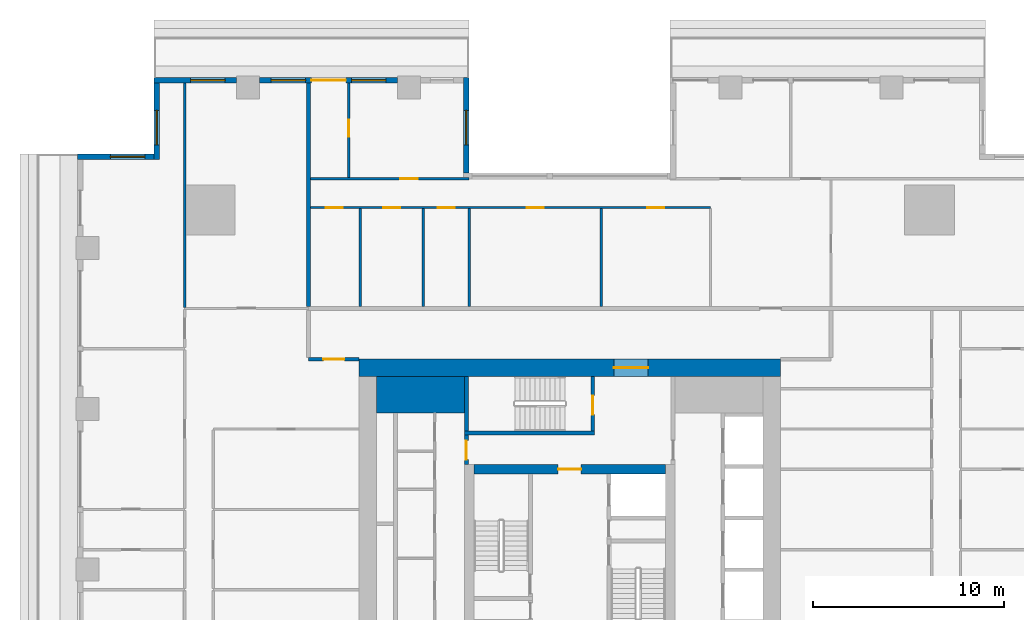
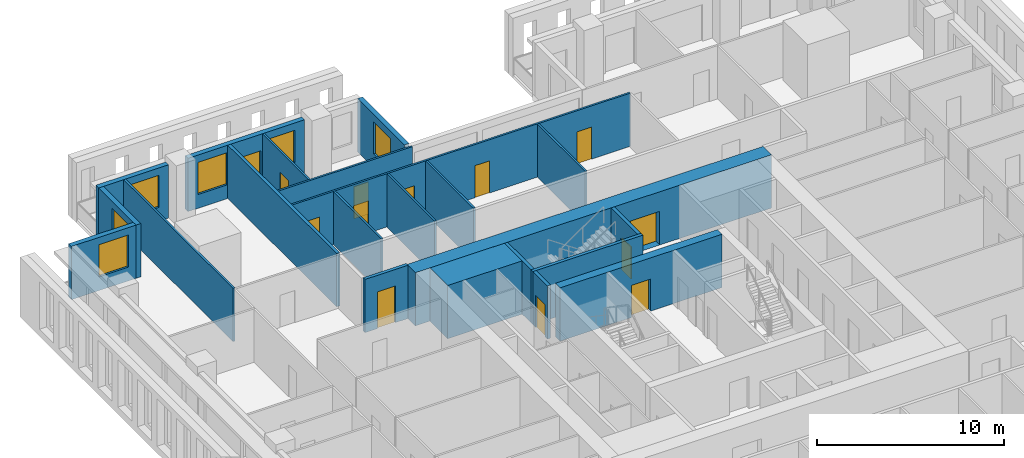
# One storey, part 7 of 15: 22 walls, 13 doors, 6 windows, 19 openings.
"""IFC4 building model written with IfcOpenShell, lengths in metres."""

import ifcopenshell
import ifcopenshell.guid

model = None  # the IFC model being written
_history = None  # IfcOwnerHistory: only IFC2X3 demands one
_inside = {}  # id of a spatial element -> (the spatial element, [elements in it])
_under = {}  # id of a project, library or spatial element -> (it, [spatial elements below it])
_declared = {}  # id of a project -> (the project, [libraries it declares])
_typed = {}  # id of a type object -> (the type object, [elements of that type])
_made_of = {}  # id of a material, layer set ... -> (it, [elements and type objects made of it])


def new_model(schema):
    """Start an empty IFC model of exactly this schema.

    Asked for "IFC4X3", IfcOpenShell would pick the latest addendum, in which some entities
    have other attributes; the version numbers below select the first issue.
    IFC2X3 requires an IfcOwnerHistory on every rooted entity: one is made here for all.
    """
    global model, _history
    if schema == "IFC4X3":
        model = ifcopenshell.file(schema_version=(4, 3, 0, 0))
    else:
        model = ifcopenshell.file(schema=schema)
    _inside.clear()
    _under.clear()
    _declared.clear()
    _typed.clear()
    _made_of.clear()
    _history = None
    if model.schema == "IFC2X3":
        org = make("IfcOrganization", Name="unknown")
        user = make(
            "IfcPersonAndOrganization",
            ThePerson=make("IfcPerson", FamilyName="unknown"),
            TheOrganization=org,
        )
        app = make(
            "IfcApplication",
            ApplicationDeveloper=org,
            Version="unknown",
            ApplicationFullName="unknown",
            ApplicationIdentifier="unknown",
        )
        _history = make(
            "IfcOwnerHistory",
            OwningUser=user,
            OwningApplication=app,
            ChangeAction="ADDED",
            CreationDate=0,
        )
    return model


def make(cls, **values):
    """One entity of the class cls with the attributes given. An attribute that is None is left unset."""
    return model.create_entity(
        cls, **{name: value for name, value in values.items() if value is not None}
    )


def rooted(cls, **values):
    """An entity with a GlobalId (a new one), such as an element, a storey or a relation."""
    return make(cls, GlobalId=ifcopenshell.guid.new(), OwnerHistory=_history, **values)


def si_unit(unit_type, name, prefix=None):
    """IfcSIUnit, for example si_unit("LENGTHUNIT", "METRE", prefix="MILLI")."""
    return make("IfcSIUnit", UnitType=unit_type, Prefix=prefix, Name=name)


def assignment(units):
    """IfcUnitAssignment: the units of a project."""
    return None if units is None else make("IfcUnitAssignment", Units=units)


def point(xyz):
    """IfcCartesianPoint."""
    return None if xyz is None else make("IfcCartesianPoint", Coordinates=xyz)


def direction(xyz):
    """IfcDirection."""
    return None if xyz is None else make("IfcDirection", DirectionRatios=xyz)


def frame(location, z_axis=None, x_axis=None):
    """IfcAxis2Placement3D, a coordinate frame: its origin and axes. An axis left out is left unset."""
    return make(
        "IfcAxis2Placement3D",
        Location=point(location),
        Axis=direction(z_axis),
        RefDirection=direction(x_axis),
    )


def frame_2d(location, x_axis=None):
    """IfcAxis2Placement2D, a coordinate frame in the plane: its origin and x axis."""
    return make(
        "IfcAxis2Placement2D", Location=point(location), RefDirection=direction(x_axis)
    )


def origin():
    """The frame at (0, 0, 0) with its axes left unset."""
    return frame((0.0, 0.0, 0.0))


def place(relative_to, where):
    """IfcLocalPlacement: puts the frame where relative to a parent placement (None: the world)."""
    return make(
        "IfcLocalPlacement", PlacementRelTo=relative_to, RelativePlacement=where
    )


def context(
    kind, dimensions, precision=None, world=None, true_north=None, identifier=None
):
    """IfcGeometricRepresentationContext, for example the 3D "Model" context."""
    return make(
        "IfcGeometricRepresentationContext",
        ContextIdentifier=identifier,
        ContextType=kind,
        CoordinateSpaceDimension=dimensions,
        Precision=precision,
        WorldCoordinateSystem=world,
        TrueNorth=true_north,
    )


def subcontext(parent, identifier, kind, view, scale=None):
    """IfcGeometricRepresentationSubContext, for example "Body" below "Model"."""
    return make(
        "IfcGeometricRepresentationSubContext",
        ContextIdentifier=identifier,
        ContextType=kind,
        ParentContext=parent,
        TargetScale=scale,
        TargetView=view,
    )


def project(units=None, contexts=None):
    """IfcProject with its units and contexts."""
    return rooted(
        "IfcProject",
        Name="project",
        RepresentationContexts=contexts,
        UnitsInContext=assignment(units),
    )


def spatial(cls, under=None, at=None, **own):
    """A site, building, storey or space (cls), placed at a placement, below another one or the project."""
    s = rooted(cls, ObjectPlacement=at, **own)
    if under is not None:
        _under.setdefault(under.id(), (under, []))[1].append(s)
    return s


def profile(cls, at=None, kind="AREA", **sizes):
    """A parametric profile (cls). Its sizes go by their IFC names, for example OverallWidth=200.0."""
    return make(cls, ProfileType=kind, Position=at, **sizes)


def rectangle(**sizes):
    """IfcRectangleProfileDef."""
    return profile("IfcRectangleProfileDef", **sizes)


def extrude(swept, where, along, depth):
    """IfcExtrudedAreaSolid: the profile swept, set in the frame where, extruded along a direction by depth."""
    return make(
        "IfcExtrudedAreaSolid",
        SweptArea=swept,
        Position=where,
        ExtrudedDirection=direction(along),
        Depth=depth,
    )


def shape(context_of_items, identifier, shape_type, items):
    """IfcShapeRepresentation: the items that make up one representation, for example the "Body"."""
    return make(
        "IfcShapeRepresentation",
        ContextOfItems=context_of_items,
        RepresentationIdentifier=identifier,
        RepresentationType=shape_type,
        Items=items,
    )


def material(Name=None, Category=None):
    """IfcMaterial."""
    return make("IfcMaterial", Name=Name, Category=Category)


def layer(
    of_material, thickness, ventilated=None, Name=None, Category=None, Priority=None
):
    """IfcMaterialLayer: one layer of a wall or slab, of a material (None: an air gap)."""
    return make(
        "IfcMaterialLayer",
        Material=of_material,
        LayerThickness=thickness,
        IsVentilated=ventilated,
        Name=Name,
        Category=Category,
        Priority=Priority,
    )


def layer_set(layers, Name=None):
    """IfcMaterialLayerSet."""
    return make("IfcMaterialLayerSet", MaterialLayers=layers, LayerSetName=Name)


def made_of(thing, what):
    """Note that an element or type object is made of a material, layer set ...; save() writes the relation."""
    if what is not None:
        _made_of.setdefault(what.id(), (what, []))[1].append(thing)
    return thing


def type_object(cls, material=None, **own):
    """A type object (cls), such as IfcWallType, which elements share."""
    return made_of(rooted(cls, **own), material)


def element(
    cls,
    number,
    at=None,
    inside=None,
    cuts=None,
    type_object=None,
    material=None,
    context=None,
    identifier="Body",
    shape_type=None,
    held_by="IfcProductDefinitionShape",
    body=None,
    shapes=None,
    **own,
):
    """One element of the class cls, such as IfcWall. Its Tag is "e" and its number.

    at: its placement. inside: the storey or other place that contains it. cuts: it is an
    opening in that element (IfcRelVoidsElement). A single representation is given by context,
    identifier, shape_type and body (its items); several are given by shapes. held_by: the class
    of the entity that holds the representations. save() writes the other relations.
    """
    e = rooted(cls, Tag="e%d" % number, ObjectPlacement=at, **own)
    if body is not None:
        shapes = [shape(context, identifier, shape_type, body)]
    if shapes is not None:
        e.Representation = make(held_by, Representations=shapes)
    if inside is not None:
        _inside.setdefault(inside.id(), (inside, []))[1].append(e)
    if cuts is not None:
        rooted(
            "IfcRelVoidsElement", RelatingBuildingElement=cuts, RelatedOpeningElement=e
        )
    if type_object is not None:
        _typed.setdefault(type_object.id(), (type_object, []))[1].append(e)
    return made_of(e, material)


def fill(opening, filler):
    """IfcRelFillsElement: the door or window that sits in an opening."""
    return rooted(
        "IfcRelFillsElement",
        RelatingOpeningElement=opening,
        RelatedBuildingElement=filler,
    )


def aggregate(whole, parts):
    """IfcRelAggregates: a whole, such as a stair, and the parts it consists of."""
    return rooted("IfcRelAggregates", RelatingObject=whole, RelatedObjects=parts)


def save(model, path):
    """Write the relations noted so far, then the file.

    IfcRelAggregates (storeys below a building ...), IfcRelContainedInSpatialStructure (elements
    in a storey), IfcRelDefinesByType, IfcRelAssociatesMaterial and IfcRelDeclares: one each for
    every whole, place, type object, material and project.
    """
    for whole, parts in _under.values():
        aggregate(whole, parts)
    for where, things in _inside.values():
        rooted(
            "IfcRelContainedInSpatialStructure",
            RelatedElements=things,
            RelatingStructure=where,
        )
    for kind, things in _typed.values():
        rooted("IfcRelDefinesByType", RelatedObjects=things, RelatingType=kind)
    for what, things in _made_of.values():
        rooted("IfcRelAssociatesMaterial", RelatedObjects=things, RelatingMaterial=what)
    for by, libraries in _declared.values():
        rooted("IfcRelDeclares", RelatingContext=by, RelatedDefinitions=libraries)
    model.write(path)


model = new_model("IFC4")

# Units and contexts
model_context = context("Model", 3, precision=1e-05, world=origin(), true_north=direction((0.0, 1.0)))
body_context = subcontext(model_context, "Body", "Model", "MODEL_VIEW")
ifc_project = project(units=[si_unit("LENGTHUNIT", "METRE"), si_unit("AREAUNIT", "SQUARE_METRE"), si_unit("VOLUMEUNIT", "CUBIC_METRE"), si_unit("PLANEANGLEUNIT", "RADIAN"), si_unit("MASSUNIT", "GRAM", prefix="KILO")], contexts=[model_context])

# Site, building, storey
site_placement = place(None, origin())
site = spatial("IfcSite", under=ifc_project, at=site_placement, CompositionType="ELEMENT")
building_placement = place(site_placement, origin())
building = spatial("IfcBuilding", under=site, at=building_placement, Name="Khepri Terraces", CompositionType="ELEMENT")
storey_placement = place(building_placement, frame((0.0, 0.0, 145.5)))
storey = spatial("IfcBuildingStorey", under=building, at=storey_placement, Name="L34", CompositionType="ELEMENT", Elevation=145.5)

# Walls
ifc_material_1 = material(Name="Concrete C60/75", Category="concrete")
ifc_layer_1 = layer(ifc_material_1, 1.89990234375, Name="Concrete C60/75", Category="concrete")
ifc_layer_set_1 = layer_set([ifc_layer_1], Name="Concrete C60/75")
wall_type_1 = type_object("IfcWallType", Name="Core wall 1900 C60/75", PredefinedType="SHEAR", material=ifc_layer_set_1)
wall_1_placement = place(storey_placement, frame((-10.10009765625, 9.14990234375, 0.0), z_axis=(0.0, 0.0, 1.0), x_axis=(1.0, 0.0, 0.0)))
element("IfcWall", 1, at=wall_1_placement, inside=storey, type_object=wall_type_1, Name="Core wall PR03 L34", PredefinedType="SHEAR", context=body_context, shape_type="SweptSolid", body=[
    extrude(rectangle(XDim=4.60009765625, YDim=1.89990234375, at=frame_2d((2.300048828125, 0.0))), origin(), (0.0, 0.0, 1.0), 3.47998046875),
])
ifc_layer_2 = layer(ifc_material_1, 0.199951171875, Name="Concrete C60/75", Category="concrete")
ifc_layer_set_2 = layer_set([ifc_layer_2], Name="Concrete C60/75")
wall_type_2 = type_object("IfcWallType", Name="Core wall 200 C60/75", PredefinedType="SHEAR", material=ifc_layer_set_2)
wall_2_placement = place(storey_placement, frame((-5.5, 7.14990234375, 0.0), z_axis=(0.0, 0.0, 1.0), x_axis=(1.0, 0.0, 0.0)))
element("IfcWall", 2, at=wall_2_placement, inside=storey, type_object=wall_type_2, Name="Core wall ST05 L34", PredefinedType="SHEAR", context=body_context, shape_type="SweptSolid", body=[
    extrude(rectangle(XDim=6.800048828125, YDim=0.199951171875, at=frame_2d((3.39990234375, 0.0))), origin(), (0.0, 0.0, 1.0), 3.47998046875),
])
wall_3_placement = place(storey_placement, frame((-5.39990234375, 7.25, 0.0), z_axis=(0.0, 0.0, 1.0), x_axis=(0.0, 1.0, 0.0)))
element("IfcWall", 3, at=wall_3_placement, inside=storey, type_object=wall_type_2, Name="Core wall ST06 L34", PredefinedType="SHEAR", context=body_context, shape_type="SweptSolid", body=[
    extrude(rectangle(XDim=2.85009765625, YDim=0.199951171875, at=frame_2d((1.425048828125, 0.0))), origin(), (0.0, 0.0, 1.0), 3.47998046875),
])

# Wall, opening, door
wall_4_placement = place(storey_placement, frame((1.199951171875, 7.25, 0.0), z_axis=(0.0, 0.0, 1.0), x_axis=(0.0, 1.0, 0.0)))
wall_4 = element("IfcWall", 4, at=wall_4_placement, inside=storey, type_object=wall_type_2, Name="Core wall ST07 L34", PredefinedType="SHEAR", context=body_context, shape_type="SweptSolid", body=[
    extrude(rectangle(XDim=2.85009765625, YDim=0.199951171875, at=frame_2d((1.425048828125, 0.0))), origin(), (0.0, 0.0, 1.0), 3.47998046875),
])
opening_1_placement = place(wall_4_placement, frame((0.85009765625, 0.0, 0.0)))
opening_1 = element("IfcOpeningElement", 5, at=opening_1_placement, cuts=wall_4, Name="Opening L34-C15", PredefinedType="OPENING", context=body_context, shape_type="SweptSolid", body=[
    extrude(rectangle(XDim=1.0, YDim=2.10009765625, at=frame_2d((0.5, 1.050048828125))), frame((0.0, 0.10986328125, 0.0), z_axis=(0.0, -1.0, 0.0), x_axis=(1.0, 0.0, 0.0)), (0.0, 0.0, 1.0), 0.219970703125),
])
ifc_material_2 = material(Name="Painted steel", Category="steel")
door_type_1 = type_object("IfcDoorType", Name="DR-CORE-STAIR-1000", OperationType="NOTDEFINED", PredefinedType="DOOR", material=ifc_material_2)
door_1_placement = place(opening_1_placement, origin())
door_1 = element("IfcDoor", 6, at=door_1_placement, inside=storey, type_object=door_type_1, Name="Stair door L34-C15", OperationType="SINGLE_SWING_LEFT", OverallHeight=2.10009765625, OverallWidth=1.0, PredefinedType="DOOR", context=body_context, shape_type="SweptSolid", body=[
    extrude(rectangle(XDim=1.0, YDim=2.10009765625, at=frame_2d((0.5, 1.050048828125))), frame((0.0, 0.02490234375, 0.0), z_axis=(0.0, -1.0, 0.0), x_axis=(1.0, 0.0, 0.0)), (0.0, 0.0, 1.0), 0.050048828125),
])
fill(opening_1, door_1)

ifc_layer_3 = layer(ifc_material_1, 0.5, Name="Concrete C60/75", Category="concrete")
ifc_layer_set_3 = layer_set([ifc_layer_3], Name="Concrete C60/75")
wall_type_3 = type_object("IfcWallType", Name="Core wall 500 C60/75", PredefinedType="SHEAR", material=ifc_layer_set_3)
wall_5_placement = place(storey_placement, frame((-5.0, 5.25, 0.0), z_axis=(0.0, 0.0, 1.0), x_axis=(1.0, 0.0, 0.0)))
wall_5 = element("IfcWall", 7, at=wall_5_placement, inside=storey, type_object=wall_type_3, Name="Core wall BX04 L34", PredefinedType="SHEAR", context=body_context, shape_type="SweptSolid", body=[
    extrude(rectangle(XDim=10.0, YDim=0.5, at=frame_2d((5.0, 0.0))), origin(), (0.0, 0.0, 1.0), 3.47998046875),
])
opening_2_placement = place(wall_5_placement, frame((4.39990234375, 0.0, 0.0)))
opening_2 = element("IfcOpeningElement", 8, at=opening_2_placement, cuts=wall_5, Name="Opening L34-C13", PredefinedType="OPENING", context=body_context, shape_type="SweptSolid", body=[
    extrude(rectangle(XDim=1.199951171875, YDim=2.10009765625, at=frame_2d((0.60009765625, 1.050048828125))), frame((0.0, 0.260009765625, 0.0), z_axis=(0.0, -1.0, 0.0), x_axis=(1.0, 0.0, 0.0)), (0.0, 0.0, 1.0), 0.52001953125),
])
door_type_2 = type_object("IfcDoorType", Name="DR-CORE-FF-LOBBY-1200", OperationType="NOTDEFINED", PredefinedType="DOOR", material=ifc_material_2)
door_2_placement = place(opening_2_placement, frame((1.199951171875, 0.0, 0.0), z_axis=(0.0, 0.0, 1.0), x_axis=(-1.0, 0.0, 0.0)))
door_2 = element("IfcDoor", 9, at=door_2_placement, inside=storey, type_object=door_type_2, Name="Firefighting lobby door L34-C13", OperationType="SINGLE_SWING_LEFT", OverallHeight=2.10009765625, OverallWidth=1.199951171875, PredefinedType="DOOR", context=body_context, shape_type="SweptSolid", body=[
    extrude(rectangle(XDim=1.199951171875, YDim=2.10009765625, at=frame_2d((0.60009765625, 1.050048828125))), frame((0.0, 0.02490234375, 0.0), z_axis=(0.0, -1.0, 0.0), x_axis=(1.0, 0.0, 0.0)), (0.0, 0.0, 1.0), 0.050048828125),
])
fill(opening_2, door_2)

ifc_layer_4 = layer(ifc_material_1, 0.89990234375, Name="Concrete C60/75", Category="concrete")
ifc_layer_set_4 = layer_set([ifc_layer_4], Name="Concrete C60/75")
wall_type_4 = type_object("IfcWallType", Name="Core wall 900 C60/75", PredefinedType="SHEAR", material=ifc_layer_set_4)
wall_6_placement = place(storey_placement, frame((-11.0, 10.550048828125, 0.0), z_axis=(0.0, 0.0, 1.0), x_axis=(1.0, 0.0, 0.0)))
wall_6 = element("IfcWall", 10, at=wall_6_placement, inside=storey, type_object=wall_type_4, Name="Core wall OW-N L34", PredefinedType="SHEAR", context=body_context, shape_type="SweptSolid", body=[
    extrude(rectangle(XDim=22.0, YDim=0.89990234375, at=frame_2d((11.0, 0.0))), origin(), (0.0, 0.0, 1.0), 3.47998046875),
])
opening_3_placement = place(wall_6_placement, frame((13.300048828125, 0.0, 0.0)))
opening_3 = element("IfcOpeningElement", 11, at=opening_3_placement, cuts=wall_6, Name="Opening L34-C20", PredefinedType="OPENING", context=body_context, shape_type="SweptSolid", body=[
    extrude(rectangle(XDim=1.800048828125, YDim=2.199951171875, at=frame_2d((0.89990234375, 1.10009765625))), frame((0.0, 0.4599609375, 0.0), z_axis=(0.0, -1.0, 0.0), x_axis=(1.0, 0.0, 0.0)), (0.0, 0.0, 1.0), 0.919921875),
])
door_type_3 = type_object("IfcDoorType", Name="DR-CORE-ENTRANCE-1800", OperationType="NOTDEFINED", PredefinedType="DOOR", material=ifc_material_2)
door_3_placement = place(opening_3_placement, origin())
door_3 = element("IfcDoor", 12, at=door_3_placement, inside=storey, type_object=door_type_3, Name="Core entrance door pair L34-C20", OperationType="DOUBLE_DOOR_SINGLE_SWING", OverallHeight=2.199951171875, OverallWidth=1.800048828125, PredefinedType="DOOR", context=body_context, shape_type="SweptSolid", body=[
    extrude(rectangle(XDim=1.800048828125, YDim=2.199951171875, at=frame_2d((0.89990234375, 1.10009765625))), frame((0.0, 0.02490234375, 0.0), z_axis=(0.0, -1.0, 0.0), x_axis=(1.0, 0.0, 0.0)), (0.0, 0.0, 1.0), 0.050048828125),
])
fill(opening_3, door_3)

ifc_material_3 = material(Name="Fire-rated gypsum board partition")
ifc_layer_5 = layer(ifc_material_3, 0.199951171875, Name="Fire-rated gypsum board partition")
ifc_layer_set_5 = layer_set([ifc_layer_5], Name="Fire-rated gypsum board partition")
wall_type_5 = type_object("IfcWallType", Name="WL-CORE-PART-200", PredefinedType="PARTITIONING", material=ifc_layer_set_5)
wall_7_placement = place(storey_placement, frame((-5.39990234375, 5.5, 0.0), z_axis=(0.0, 0.0, 1.0), x_axis=(0.0, 1.0, 0.0)))
wall_7 = element("IfcWall", 13, at=wall_7_placement, inside=storey, type_object=wall_type_5, Name="Core partition PT12 L34", PredefinedType="PARTITIONING", context=body_context, shape_type="SweptSolid", body=[
    extrude(rectangle(XDim=1.550048828125, YDim=0.199951171875, at=frame_2d((0.77490234375, 0.0))), origin(), (0.0, 0.0, 1.0), 3.47998046875),
])
opening_4_placement = place(wall_7_placement, frame((0.25, 0.0, 0.0)))
opening_4 = element("IfcOpeningElement", 14, at=opening_4_placement, cuts=wall_7, Name="Opening L34-C16", PredefinedType="OPENING", context=body_context, shape_type="SweptSolid", body=[
    extrude(rectangle(XDim=1.0, YDim=2.10009765625, at=frame_2d((0.5, 1.050048828125))), frame((0.0, 0.10986328125, 0.0), z_axis=(0.0, -1.0, 0.0), x_axis=(1.0, 0.0, 0.0)), (0.0, 0.0, 1.0), 0.219970703125),
])
door_type_4 = type_object("IfcDoorType", Name="DR-CORE-LOBBY-1000", OperationType="NOTDEFINED", PredefinedType="DOOR", material=ifc_material_2)
door_4_placement = place(opening_4_placement, frame((1.0, 0.0, 0.0), z_axis=(0.0, 0.0, 1.0), x_axis=(-1.0, 0.0, 0.0)))
door_4 = element("IfcDoor", 15, at=door_4_placement, inside=storey, type_object=door_type_4, Name="Lobby door L34-C16", OperationType="SINGLE_SWING_RIGHT", OverallHeight=2.10009765625, OverallWidth=1.0, PredefinedType="DOOR", context=body_context, shape_type="SweptSolid", body=[
    extrude(rectangle(XDim=1.0, YDim=2.10009765625, at=frame_2d((0.5, 1.050048828125))), frame((0.0, 0.02490234375, 0.0), z_axis=(0.0, -1.0, 0.0), x_axis=(1.0, 0.0, 0.0)), (0.0, 0.0, 1.0), 0.050048828125),
])
fill(opening_4, door_4)

ifc_material_4 = material(Name="Fire-rated gypsum plasterboard partition, mineral wool")
ifc_layer_6 = layer(ifc_material_4, 0.199951171875, Name="Fire-rated gypsum plasterboard partition, mineral wool")
ifc_layer_set_6 = layer_set([ifc_layer_6], Name="Fire-rated gypsum plasterboard partition, mineral wool")
wall_type_6 = type_object("IfcWallType", Name="WL-CORR-200", PredefinedType="PARTITIONING", material=ifc_layer_set_6)
wall_8_placement = place(storey_placement, frame((-13.64990234375, 11.0, 0.0), z_axis=(0.0, 0.0, 1.0), x_axis=(1.0, 0.0, 0.0)))
wall_8 = element("IfcWall", 16, at=wall_8_placement, inside=storey, type_object=wall_type_6, Name="Partition P-074 L34", PredefinedType="PARTITIONING", context=body_context, shape_type="SweptSolid", body=[
    extrude(rectangle(XDim=2.64990234375, YDim=0.199951171875, at=frame_2d((1.324951171875, 0.0))), origin(), (0.0, 0.0, 1.0), 3.47998046875),
])
opening_5_placement = place(wall_8_placement, frame((0.77490234375, 0.0, 0.0)))
opening_5 = element("IfcOpeningElement", 17, at=opening_5_placement, cuts=wall_8, Name="Opening D1", PredefinedType="OPENING", context=body_context, shape_type="SweptSolid", body=[
    extrude(rectangle(XDim=1.10009765625, YDim=2.39990234375, at=frame_2d((0.550048828125, 1.199951171875))), frame((0.0, 0.10986328125, 0.0), z_axis=(0.0, -1.0, 0.0), x_axis=(1.0, 0.0, 0.0)), (0.0, 0.0, 1.0), 0.219970703125),
])
ifc_material_5 = material(Name="Solid-core timber door leaf, flat entrance door", Category="wood")
door_type_5 = type_object("IfcDoorType", Name="DR-ENT-1100", OperationType="NOTDEFINED", PredefinedType="DOOR", material=ifc_material_5)
door_5_placement = place(opening_5_placement, frame((1.10009765625, 0.0, 0.0), z_axis=(0.0, 0.0, 1.0), x_axis=(-1.0, 0.0, 0.0)))
door_5 = element("IfcDoor", 18, at=door_5_placement, inside=storey, type_object=door_type_5, Name="Flat D1 entrance door", OperationType="SINGLE_SWING_LEFT", OverallHeight=2.39990234375, OverallWidth=1.10009765625, PredefinedType="DOOR", context=body_context, shape_type="SweptSolid", body=[
    extrude(rectangle(XDim=1.10009765625, YDim=2.39990234375, at=frame_2d((0.550048828125, 1.199951171875))), frame((0.0, 0.02490234375, 0.0), z_axis=(0.0, -1.0, 0.0), x_axis=(1.0, 0.0, 0.0)), (0.0, 0.0, 1.0), 0.050048828125),
])
fill(opening_5, door_5)

# Wall
wall_9_placement = place(storey_placement, frame((-13.64990234375, 13.75, 0.0), z_axis=(0.0, 0.0, 1.0), x_axis=(0.0, 1.0, 0.0)))
element("IfcWall", 19, at=wall_9_placement, inside=storey, type_object=wall_type_6, Name="Partition P-085 L34", PredefinedType="PARTITIONING", context=body_context, shape_type="SweptSolid", body=[
    extrude(rectangle(XDim=11.669921875, YDim=0.199951171875, at=frame_2d((5.8349609375, 0.0))), origin(), (0.0, 0.0, 1.0), 3.47998046875),
])

# Wall, opening, window
ifc_material_6 = material(Name="Precast concrete C50/60 warm stone", Category="masonry")
ifc_layer_7 = layer(ifc_material_6, 0.300048828125, Name="Precast concrete C50/60 warm stone", Category="masonry")
ifc_layer_set_7 = layer_set([ifc_layer_7], Name="Precast concrete C50/60 warm stone")
wall_type_7 = type_object("IfcWallType", Name="WL-EXT-PRECAST-300", PredefinedType="STANDARD", material=ifc_layer_set_7)
wall_10_placement = place(storey_placement, frame((-5.39990234375, 20.719970703125, 0.0), z_axis=(0.0, 0.0, 1.0), x_axis=(0.0, 1.0, 0.0)))
wall_10 = element("IfcWall", 20, at=wall_10_placement, inside=storey, type_object=wall_type_7, Name="External wall L34 E", PredefinedType="STANDARD", context=body_context, shape_type="SweptSolid", body=[
    extrude(rectangle(XDim=5.0, YDim=0.300048828125, at=frame_2d((2.5, 0.0))), origin(), (0.0, 0.0, 1.0), 3.47998046875),
])
opening_6_placement = place(wall_10_placement, frame((1.47998046875, 0.0, 0.89990234375)))
opening_6 = element("IfcOpeningElement", 21, at=opening_6_placement, cuts=wall_10, Name="Opening W1", PredefinedType="OPENING", context=body_context, shape_type="SweptSolid", body=[
    extrude(rectangle(XDim=1.800048828125, YDim=2.10009765625, at=frame_2d((0.89990234375, 1.050048828125))), frame((0.0, 0.16015625, 0.0), z_axis=(0.0, -1.0, 0.0), x_axis=(1.0, 0.0, 0.0)), (0.0, 0.0, 1.0), 0.320068359375),
])
ifc_material_7 = material(Name="Clear glass", Category="glass")
window_type = type_object("IfcWindowType", Name="WIN-RES-1800x2100", PartitioningType="SINGLE_PANEL", PredefinedType="WINDOW", material=ifc_material_7)
window_1_placement = place(opening_6_placement, origin())
window_1 = element("IfcWindow", 22, at=window_1_placement, inside=storey, type_object=window_type, Name="Window L34 E", OverallHeight=2.10009765625, OverallWidth=1.800048828125, PartitioningType="SINGLE_PANEL", PredefinedType="WINDOW", context=body_context, shape_type="SweptSolid", body=[
    extrude(rectangle(XDim=1.800048828125, YDim=2.10009765625, at=frame_2d((0.89990234375, 1.050048828125))), frame((0.0, 0.030029296875, 0.0), z_axis=(0.0, -1.0, 0.0), x_axis=(1.0, 0.0, 0.0)), (0.0, 0.0, 1.0), 0.06005859375),
])
fill(opening_6, window_1)

# Wall, openings, door, windows
wall_11_placement = place(storey_placement, frame((-9.0, 25.570068359375, 0.0), z_axis=(0.0, 0.0, 1.0), x_axis=(-1.0, 0.0, 0.0)))
wall_11 = element("IfcWall", 23, at=wall_11_placement, inside=storey, type_object=wall_type_7, Name="External wall L34 N", PredefinedType="STANDARD", context=body_context, shape_type="SweptSolid", body=[
    extrude(rectangle(XDim=7.199951171875, YDim=0.300048828125, at=frame_2d((3.60009765625, 0.0))), origin(), (0.0, 0.0, 1.0), 3.47998046875),
])
opening_7_placement = place(wall_11_placement, frame((0.60009765625, 0.0, 0.89990234375)))
opening_7 = element("IfcOpeningElement", 24, at=opening_7_placement, cuts=wall_11, Name="Opening W1", PredefinedType="OPENING", context=body_context, shape_type="SweptSolid", body=[
    extrude(rectangle(XDim=1.800048828125, YDim=2.10009765625, at=frame_2d((0.89990234375, 1.050048828125))), frame((0.0, 0.16015625, 0.0), z_axis=(0.0, -1.0, 0.0), x_axis=(1.0, 0.0, 0.0)), (0.0, 0.0, 1.0), 0.320068359375),
])
opening_8_placement = place(wall_11_placement, frame((2.699951171875, 0.0, 0.0)))
opening_8 = element("IfcOpeningElement", 25, at=opening_8_placement, cuts=wall_11, Name="Opening ED-L34-09", PredefinedType="OPENING", context=body_context, shape_type="SweptSolid", body=[
    extrude(rectangle(XDim=1.800048828125, YDim=2.39990234375, at=frame_2d((0.89990234375, 1.199951171875))), frame((0.0, 0.16015625, 0.0), z_axis=(0.0, -1.0, 0.0), x_axis=(1.0, 0.0, 0.0)), (0.0, 0.0, 1.0), 0.320068359375),
])
opening_9_placement = place(wall_11_placement, frame((4.800048828125, 0.0, 0.89990234375)))
opening_9 = element("IfcOpeningElement", 26, at=opening_9_placement, cuts=wall_11, Name="Opening W1", PredefinedType="OPENING", context=body_context, shape_type="SweptSolid", body=[
    extrude(rectangle(XDim=1.800048828125, YDim=2.10009765625, at=frame_2d((0.89990234375, 1.050048828125))), frame((0.0, 0.16015625, 0.0), z_axis=(0.0, -1.0, 0.0), x_axis=(1.0, 0.0, 0.0)), (0.0, 0.0, 1.0), 0.320068359375),
])
ifc_material_8 = material(Name="Anodised aluminium bronze glazed door", Category="aluminium")
door_type_6 = type_object("IfcDoorType", Name="DR-BAL-SLIDE-1800x2400", OperationType="NOTDEFINED", PredefinedType="DOOR", material=ifc_material_8)
door_6_placement = place(opening_8_placement, origin())
door_6 = element("IfcDoor", 27, at=door_6_placement, inside=storey, type_object=door_type_6, Name="Balcony door L34 N", OperationType="SLIDING_TO_RIGHT", OverallHeight=2.39990234375, OverallWidth=1.800048828125, PredefinedType="DOOR", context=body_context, shape_type="SweptSolid", body=[
    extrude(rectangle(XDim=1.800048828125, YDim=2.39990234375, at=frame_2d((0.89990234375, 1.199951171875))), frame((0.0, 0.02490234375, 0.0), z_axis=(0.0, -1.0, 0.0), x_axis=(1.0, 0.0, 0.0)), (0.0, 0.0, 1.0), 0.050048828125),
])
fill(opening_8, door_6)
window_2_placement = place(opening_7_placement, origin())
window_2 = element("IfcWindow", 28, at=window_2_placement, inside=storey, type_object=window_type, Name="Window L34 N", OverallHeight=2.10009765625, OverallWidth=1.800048828125, PartitioningType="SINGLE_PANEL", PredefinedType="WINDOW", context=body_context, shape_type="SweptSolid", body=[
    extrude(rectangle(XDim=1.800048828125, YDim=2.10009765625, at=frame_2d((0.89990234375, 1.050048828125))), frame((0.0, 0.030029296875, 0.0), z_axis=(0.0, -1.0, 0.0), x_axis=(1.0, 0.0, 0.0)), (0.0, 0.0, 1.0), 0.06005859375),
])
fill(opening_7, window_2)
window_3_placement = place(opening_9_placement, origin())
window_3 = element("IfcWindow", 29, at=window_3_placement, inside=storey, type_object=window_type, Name="Window L34 N", OverallHeight=2.10009765625, OverallWidth=1.800048828125, PartitioningType="SINGLE_PANEL", PredefinedType="WINDOW", context=body_context, shape_type="SweptSolid", body=[
    extrude(rectangle(XDim=1.800048828125, YDim=2.10009765625, at=frame_2d((0.89990234375, 1.050048828125))), frame((0.0, 0.030029296875, 0.0), z_axis=(0.0, -1.0, 0.0), x_axis=(1.0, 0.0, 0.0)), (0.0, 0.0, 1.0), 0.06005859375),
])
fill(opening_9, window_3)

# Wall, opening, window
wall_12_placement = place(storey_placement, frame((-17.39990234375, 25.570068359375, 0.0), z_axis=(0.0, 0.0, 1.0), x_axis=(-1.0, 0.0, 0.0)))
wall_12 = element("IfcWall", 30, at=wall_12_placement, inside=storey, type_object=wall_type_7, Name="External wall L34 N", PredefinedType="STANDARD", context=body_context, shape_type="SweptSolid", body=[
    extrude(rectangle(XDim=4.320068359375, YDim=0.300048828125, at=frame_2d((2.16015625, 0.0))), origin(), (0.0, 0.0, 1.0), 3.47998046875),
])
opening_10_placement = place(wall_12_placement, frame((0.60009765625, 0.0, 0.89990234375)))
opening_10 = element("IfcOpeningElement", 31, at=opening_10_placement, cuts=wall_12, Name="Opening W1", PredefinedType="OPENING", context=body_context, shape_type="SweptSolid", body=[
    extrude(rectangle(XDim=1.800048828125, YDim=2.10009765625, at=frame_2d((0.89990234375, 1.050048828125))), frame((0.0, 0.16015625, 0.0), z_axis=(0.0, -1.0, 0.0), x_axis=(1.0, 0.0, 0.0)), (0.0, 0.0, 1.0), 0.320068359375),
])
window_4_placement = place(opening_10_placement, origin())
window_4 = element("IfcWindow", 32, at=window_4_placement, inside=storey, type_object=window_type, Name="Window L34 N", OverallHeight=2.10009765625, OverallWidth=1.800048828125, PartitioningType="SINGLE_PANEL", PredefinedType="WINDOW", context=body_context, shape_type="SweptSolid", body=[
    extrude(rectangle(XDim=1.800048828125, YDim=2.10009765625, at=frame_2d((0.89990234375, 1.050048828125))), frame((0.0, 0.030029296875, 0.0), z_axis=(0.0, -1.0, 0.0), x_axis=(1.0, 0.0, 0.0)), (0.0, 0.0, 1.0), 0.06005859375),
])
fill(opening_10, window_4)

wall_13_placement = place(storey_placement, frame((-21.570068359375, 25.419921875, 0.0), z_axis=(0.0, 0.0, 1.0), x_axis=(0.0, -1.0, 0.0)))
wall_13 = element("IfcWall", 33, at=wall_13_placement, inside=storey, type_object=wall_type_7, Name="External wall L34 W", PredefinedType="STANDARD", context=body_context, shape_type="SweptSolid", body=[
    extrude(rectangle(XDim=4.0, YDim=0.300048828125, at=frame_2d((2.0, 0.0))), origin(), (0.0, 0.0, 1.0), 3.47998046875),
])
opening_11_placement = place(wall_13_placement, frame((1.419921875, 0.0, 0.89990234375)))
opening_11 = element("IfcOpeningElement", 34, at=opening_11_placement, cuts=wall_13, Name="Opening W1", PredefinedType="OPENING", context=body_context, shape_type="SweptSolid", body=[
    extrude(rectangle(XDim=1.800048828125, YDim=2.10009765625, at=frame_2d((0.89990234375, 1.050048828125))), frame((0.0, 0.16015625, 0.0), z_axis=(0.0, -1.0, 0.0), x_axis=(1.0, 0.0, 0.0)), (0.0, 0.0, 1.0), 0.320068359375),
])
window_5_placement = place(opening_11_placement, origin())
window_5 = element("IfcWindow", 35, at=window_5_placement, inside=storey, type_object=window_type, Name="Window L34 W", OverallHeight=2.10009765625, OverallWidth=1.800048828125, PartitioningType="SINGLE_PANEL", PredefinedType="WINDOW", context=body_context, shape_type="SweptSolid", body=[
    extrude(rectangle(XDim=1.800048828125, YDim=2.10009765625, at=frame_2d((0.89990234375, 1.050048828125))), frame((0.0, 0.030029296875, 0.0), z_axis=(0.0, -1.0, 0.0), x_axis=(1.0, 0.0, 0.0)), (0.0, 0.0, 1.0), 0.06005859375),
])
fill(opening_11, window_5)

wall_14_placement = place(storey_placement, frame((-21.719970703125, 21.570068359375, 0.0), z_axis=(0.0, 0.0, 1.0), x_axis=(-1.0, 0.0, 0.0)))
wall_14 = element("IfcWall", 36, at=wall_14_placement, inside=storey, type_object=wall_type_7, Name="External wall L34 N", PredefinedType="STANDARD", context=body_context, shape_type="SweptSolid", body=[
    extrude(rectangle(XDim=4.0, YDim=0.300048828125, at=frame_2d((2.0, 0.0))), origin(), (0.0, 0.0, 1.0), 3.47998046875),
])
opening_12_placement = place(wall_14_placement, frame((0.47998046875, 0.0, 0.89990234375)))
opening_12 = element("IfcOpeningElement", 37, at=opening_12_placement, cuts=wall_14, Name="Opening W1", PredefinedType="OPENING", context=body_context, shape_type="SweptSolid", body=[
    extrude(rectangle(XDim=1.800048828125, YDim=2.10009765625, at=frame_2d((0.89990234375, 1.050048828125))), frame((0.0, 0.16015625, 0.0), z_axis=(0.0, -1.0, 0.0), x_axis=(1.0, 0.0, 0.0)), (0.0, 0.0, 1.0), 0.320068359375),
])
window_6_placement = place(opening_12_placement, origin())
window_6 = element("IfcWindow", 38, at=window_6_placement, inside=storey, type_object=window_type, Name="Window L34 N", OverallHeight=2.10009765625, OverallWidth=1.800048828125, PartitioningType="SINGLE_PANEL", PredefinedType="WINDOW", context=body_context, shape_type="SweptSolid", body=[
    extrude(rectangle(XDim=1.800048828125, YDim=2.10009765625, at=frame_2d((0.89990234375, 1.050048828125))), frame((0.0, 0.030029296875, 0.0), z_axis=(0.0, -1.0, 0.0), x_axis=(1.0, 0.0, 0.0)), (0.0, 0.0, 1.0), 0.06005859375),
])
fill(opening_12, window_6)

# Walls
ifc_material_9 = material(Name="Gypsum plasterboard partition")
ifc_layer_8 = layer(ifc_material_9, 0.1201171875, Name="Gypsum plasterboard partition")
ifc_layer_set_8 = layer_set([ifc_layer_8], Name="Gypsum plasterboard partition")
wall_type_8 = type_object("IfcWallType", Name="WL-PART-120", PredefinedType="PARTITIONING", material=ifc_layer_set_8)
wall_15_placement = place(storey_placement, frame((-20.1201171875, 13.7099609375, 0.0), z_axis=(0.0, 0.0, 1.0), x_axis=(0.0, 1.0, 0.0)))
element("IfcWall", 39, at=wall_15_placement, inside=storey, type_object=wall_type_8, Name="Partition P-084 L34", PredefinedType="PARTITIONING", context=body_context, shape_type="SweptSolid", body=[
    extrude(rectangle(XDim=11.7099609375, YDim=0.1201171875, at=frame_2d((5.85498046875, 0.0))), origin(), (0.0, 0.0, 1.0), 3.47998046875),
])
for number, where, z_axis, x_axis, name in (
    (40, (-10.949951171875, 13.75, 0.0), (0.0, 0.0, 1.0), (0.0, 1.0, 0.0), "Partition P-086 L34"),
    (41, (-7.64990234375, 13.75, 0.0), (0.0, 0.0, 1.0), (0.0, 1.0, 0.0), "Partition P-087 L34"),
    (42, (-5.25, 13.75, 0.0), (0.0, 0.0, 1.0), (0.0, 1.0, 0.0), "Partition P-088 L34"),
    (43, (1.64990234375, 13.75, 0.0), (0.0, 0.0, 1.0), (0.0, 1.0, 0.0), "Partition P-089 L34"),
):
    element("IfcWall", number, at=place(storey_placement, frame(where, z_axis=z_axis, x_axis=x_axis)), inside=storey, type_object=wall_type_8, Name=name, PredefinedType="PARTITIONING", context=body_context, shape_type="SweptSolid", body=[
        extrude(rectangle(XDim=5.110107421875, YDim=0.1201171875, at=frame_2d((2.55517578125, 0.0))), origin(), (0.0, 0.0, 1.0), 3.47998046875),
    ])

# Wall, openings, doors
wall_16_placement = place(storey_placement, frame((-13.550048828125, 18.919921875, 0.0), z_axis=(0.0, 0.0, 1.0), x_axis=(1.0, 0.0, 0.0)))
wall_16 = element("IfcWall", 44, at=wall_16_placement, inside=storey, type_object=wall_type_8, Name="Partition P-092 L34", PredefinedType="PARTITIONING", context=body_context, shape_type="SweptSolid", body=[
    extrude(rectangle(XDim=20.900146484375, YDim=0.1201171875, at=frame_2d((10.4501953125, 0.0))), origin(), (0.0, 0.0, 1.0), 3.47998046875),
])
opening_13_placement = place(wall_16_placement, frame((17.60009765625, 0.0, 0.0)))
opening_13 = element("IfcOpeningElement", 45, at=opening_13_placement, cuts=wall_16, Name="Opening D3", PredefinedType="OPENING", context=body_context, shape_type="SweptSolid", body=[
    extrude(rectangle(XDim=0.89990234375, YDim=2.10009765625, at=frame_2d((0.449951171875, 1.050048828125))), frame((0.0, 0.070068359375, 0.0), z_axis=(0.0, -1.0, 0.0), x_axis=(1.0, 0.0, 0.0)), (0.0, 0.0, 1.0), 0.14013671875),
])
opening_14_placement = place(wall_16_placement, frame((11.300048828125, 0.0, 0.0)))
opening_14 = element("IfcOpeningElement", 46, at=opening_14_placement, cuts=wall_16, Name="Opening D3", PredefinedType="OPENING", context=body_context, shape_type="SweptSolid", body=[
    extrude(rectangle(XDim=0.89990234375, YDim=2.10009765625, at=frame_2d((0.449951171875, 1.050048828125))), frame((0.0, 0.070068359375, 0.0), z_axis=(0.0, -1.0, 0.0), x_axis=(1.0, 0.0, 0.0)), (0.0, 0.0, 1.0), 0.14013671875),
])
opening_15_placement = place(wall_16_placement, frame((6.64990234375, 0.0, 0.0)))
opening_15 = element("IfcOpeningElement", 47, at=opening_15_placement, cuts=wall_16, Name="Opening D4", PredefinedType="OPENING", context=body_context, shape_type="SweptSolid", body=[
    extrude(rectangle(XDim=0.89990234375, YDim=2.10009765625, at=frame_2d((0.449951171875, 1.050048828125))), frame((0.0, 0.070068359375, 0.0), z_axis=(0.0, -1.0, 0.0), x_axis=(1.0, 0.0, 0.0)), (0.0, 0.0, 1.0), 0.14013671875),
])
opening_16_placement = place(wall_16_placement, frame((3.800048828125, 0.0, 0.0)))
opening_16 = element("IfcOpeningElement", 48, at=opening_16_placement, cuts=wall_16, Name="Opening D4", PredefinedType="OPENING", context=body_context, shape_type="SweptSolid", body=[
    extrude(rectangle(XDim=0.89990234375, YDim=2.10009765625, at=frame_2d((0.449951171875, 1.050048828125))), frame((0.0, 0.070068359375, 0.0), z_axis=(0.0, -1.0, 0.0), x_axis=(1.0, 0.0, 0.0)), (0.0, 0.0, 1.0), 0.14013671875),
])
opening_17_placement = place(wall_16_placement, frame((0.800048828125, 0.0, 0.0)))
opening_17 = element("IfcOpeningElement", 49, at=opening_17_placement, cuts=wall_16, Name="Opening D3", PredefinedType="OPENING", context=body_context, shape_type="SweptSolid", body=[
    extrude(rectangle(XDim=0.89990234375, YDim=2.10009765625, at=frame_2d((0.449951171875, 1.050048828125))), frame((0.0, 0.070068359375, 0.0), z_axis=(0.0, -1.0, 0.0), x_axis=(1.0, 0.0, 0.0)), (0.0, 0.0, 1.0), 0.14013671875),
])
ifc_material_10 = material(Name="Timber door leaf", Category="wood")
door_type_7 = type_object("IfcDoorType", Name="DR-INT-900", OperationType="NOTDEFINED", PredefinedType="DOOR", material=ifc_material_10)
door_7_placement = place(opening_13_placement, frame((0.89990234375, 0.0, 0.0), z_axis=(0.0, 0.0, 1.0), x_axis=(-1.0, 0.0, 0.0)))
door_7 = element("IfcDoor", 50, at=door_7_placement, inside=storey, type_object=door_type_7, Name="Door Kitchen", OperationType="SINGLE_SWING_LEFT", OverallHeight=2.10009765625, OverallWidth=0.89990234375, PredefinedType="DOOR", context=body_context, shape_type="SweptSolid", body=[
    extrude(rectangle(XDim=0.89990234375, YDim=2.10009765625, at=frame_2d((0.449951171875, 1.050048828125))), frame((0.0, 0.02490234375, 0.0), z_axis=(0.0, -1.0, 0.0), x_axis=(1.0, 0.0, 0.0)), (0.0, 0.0, 1.0), 0.050048828125),
])
fill(opening_13, door_7)
door_8_placement = place(opening_14_placement, frame((0.89990234375, 0.0, 0.0), z_axis=(0.0, 0.0, 1.0), x_axis=(-1.0, 0.0, 0.0)))
door_8 = element("IfcDoor", 51, at=door_8_placement, inside=storey, type_object=door_type_7, Name="Door Staff Bedroom", OperationType="SINGLE_SWING_LEFT", OverallHeight=2.10009765625, OverallWidth=0.89990234375, PredefinedType="DOOR", context=body_context, shape_type="SweptSolid", body=[
    extrude(rectangle(XDim=0.89990234375, YDim=2.10009765625, at=frame_2d((0.449951171875, 1.050048828125))), frame((0.0, 0.02490234375, 0.0), z_axis=(0.0, -1.0, 0.0), x_axis=(1.0, 0.0, 0.0)), (0.0, 0.0, 1.0), 0.050048828125),
])
fill(opening_14, door_8)
door_9_placement = place(opening_17_placement, frame((0.89990234375, 0.0, 0.0), z_axis=(0.0, 0.0, 1.0), x_axis=(-1.0, 0.0, 0.0)))
door_9 = element("IfcDoor", 52, at=door_9_placement, inside=storey, type_object=door_type_7, Name="Door Utility Room", OperationType="SINGLE_SWING_RIGHT", OverallHeight=2.10009765625, OverallWidth=0.89990234375, PredefinedType="DOOR", context=body_context, shape_type="SweptSolid", body=[
    extrude(rectangle(XDim=0.89990234375, YDim=2.10009765625, at=frame_2d((0.449951171875, 1.050048828125))), frame((0.0, 0.02490234375, 0.0), z_axis=(0.0, -1.0, 0.0), x_axis=(1.0, 0.0, 0.0)), (0.0, 0.0, 1.0), 0.050048828125),
])
fill(opening_17, door_9)
ifc_material_11 = material(Name="Timber door leaf, moisture resistant", Category="wood")
door_type_8 = type_object("IfcDoorType", Name="DR-WET-900", OperationType="NOTDEFINED", PredefinedType="DOOR", material=ifc_material_11)
door_10_placement = place(opening_15_placement, frame((0.89990234375, 0.0, 0.0), z_axis=(0.0, 0.0, 1.0), x_axis=(-1.0, 0.0, 0.0)))
door_10 = element("IfcDoor", 53, at=door_10_placement, inside=storey, type_object=door_type_8, Name="Door Powder Room", OperationType="SINGLE_SWING_RIGHT", OverallHeight=2.10009765625, OverallWidth=0.89990234375, PredefinedType="DOOR", context=body_context, shape_type="SweptSolid", body=[
    extrude(rectangle(XDim=0.89990234375, YDim=2.10009765625, at=frame_2d((0.449951171875, 1.050048828125))), frame((0.0, 0.02490234375, 0.0), z_axis=(0.0, -1.0, 0.0), x_axis=(1.0, 0.0, 0.0)), (0.0, 0.0, 1.0), 0.050048828125),
])
fill(opening_15, door_10)
door_11_placement = place(opening_16_placement, frame((0.89990234375, 0.0, 0.0), z_axis=(0.0, 0.0, 1.0), x_axis=(-1.0, 0.0, 0.0)))
door_11 = element("IfcDoor", 54, at=door_11_placement, inside=storey, type_object=door_type_8, Name="Door Guest Bathroom", OperationType="SINGLE_SWING_RIGHT", OverallHeight=2.10009765625, OverallWidth=0.89990234375, PredefinedType="DOOR", context=body_context, shape_type="SweptSolid", body=[
    extrude(rectangle(XDim=0.89990234375, YDim=2.10009765625, at=frame_2d((0.449951171875, 1.050048828125))), frame((0.0, 0.02490234375, 0.0), z_axis=(0.0, -1.0, 0.0), x_axis=(1.0, 0.0, 0.0)), (0.0, 0.0, 1.0), 0.050048828125),
])
fill(opening_16, door_11)

# Wall, opening, door
wall_17_placement = place(storey_placement, frame((-13.550048828125, 20.419921875, 0.0), z_axis=(0.0, 0.0, 1.0), x_axis=(1.0, 0.0, 0.0)))
wall_17 = element("IfcWall", 55, at=wall_17_placement, inside=storey, type_object=wall_type_8, Name="Partition P-093 L34", PredefinedType="PARTITIONING", context=body_context, shape_type="SweptSolid", body=[
    extrude(rectangle(XDim=8.300048828125, YDim=0.1201171875, at=frame_2d((4.14990234375, 0.0))), origin(), (0.0, 0.0, 1.0), 3.47998046875),
])
opening_18_placement = place(wall_17_placement, frame((4.699951171875, 0.0, 0.0)))
opening_18 = element("IfcOpeningElement", 56, at=opening_18_placement, cuts=wall_17, Name="Opening D3", PredefinedType="OPENING", context=body_context, shape_type="SweptSolid", body=[
    extrude(rectangle(XDim=0.89990234375, YDim=2.10009765625, at=frame_2d((0.449951171875, 1.050048828125))), frame((0.0, 0.070068359375, 0.0), z_axis=(0.0, -1.0, 0.0), x_axis=(1.0, 0.0, 0.0)), (0.0, 0.0, 1.0), 0.14013671875),
])
door_12_placement = place(opening_18_placement, origin())
door_12 = element("IfcDoor", 57, at=door_12_placement, inside=storey, type_object=door_type_7, Name="Door Bedroom", OperationType="SINGLE_SWING_RIGHT", OverallHeight=2.10009765625, OverallWidth=0.89990234375, PredefinedType="DOOR", context=body_context, shape_type="SweptSolid", body=[
    extrude(rectangle(XDim=0.89990234375, YDim=2.10009765625, at=frame_2d((0.449951171875, 1.050048828125))), frame((0.0, 0.02490234375, 0.0), z_axis=(0.0, -1.0, 0.0), x_axis=(1.0, 0.0, 0.0)), (0.0, 0.0, 1.0), 0.050048828125),
])
fill(opening_18, door_12)

wall_18_placement = place(storey_placement, frame((-11.550048828125, 20.47998046875, 0.0), z_axis=(0.0, 0.0, 1.0), x_axis=(0.0, 1.0, 0.0)))
wall_18 = element("IfcWall", 58, at=wall_18_placement, inside=storey, type_object=wall_type_8, Name="Partition P-095 L34", PredefinedType="PARTITIONING", context=body_context, shape_type="SweptSolid", body=[
    extrude(rectangle(XDim=4.93994140625, YDim=0.1201171875, at=frame_2d((2.469970703125, 0.0))), origin(), (0.0, 0.0, 1.0), 3.47998046875),
])
opening_19_placement = place(wall_18_placement, frame((2.139892578125, 0.0, 0.0)))
opening_19 = element("IfcOpeningElement", 59, at=opening_19_placement, cuts=wall_18, Name="Opening D4", PredefinedType="OPENING", context=body_context, shape_type="SweptSolid", body=[
    extrude(rectangle(XDim=0.89990234375, YDim=2.10009765625, at=frame_2d((0.449951171875, 1.050048828125))), frame((0.0, 0.070068359375, 0.0), z_axis=(0.0, -1.0, 0.0), x_axis=(1.0, 0.0, 0.0)), (0.0, 0.0, 1.0), 0.14013671875),
])
door_13_placement = place(opening_19_placement, origin())
door_13 = element("IfcDoor", 60, at=door_13_placement, inside=storey, type_object=door_type_8, Name="Door Bathroom", OperationType="SINGLE_SWING_RIGHT", OverallHeight=2.10009765625, OverallWidth=0.89990234375, PredefinedType="DOOR", context=body_context, shape_type="SweptSolid", body=[
    extrude(rectangle(XDim=0.89990234375, YDim=2.10009765625, at=frame_2d((0.449951171875, 1.050048828125))), frame((0.0, 0.02490234375, 0.0), z_axis=(0.0, -1.0, 0.0), x_axis=(1.0, 0.0, 0.0)), (0.0, 0.0, 1.0), 0.050048828125),
])
fill(opening_19, door_13)

save(model, "model.ifc")
